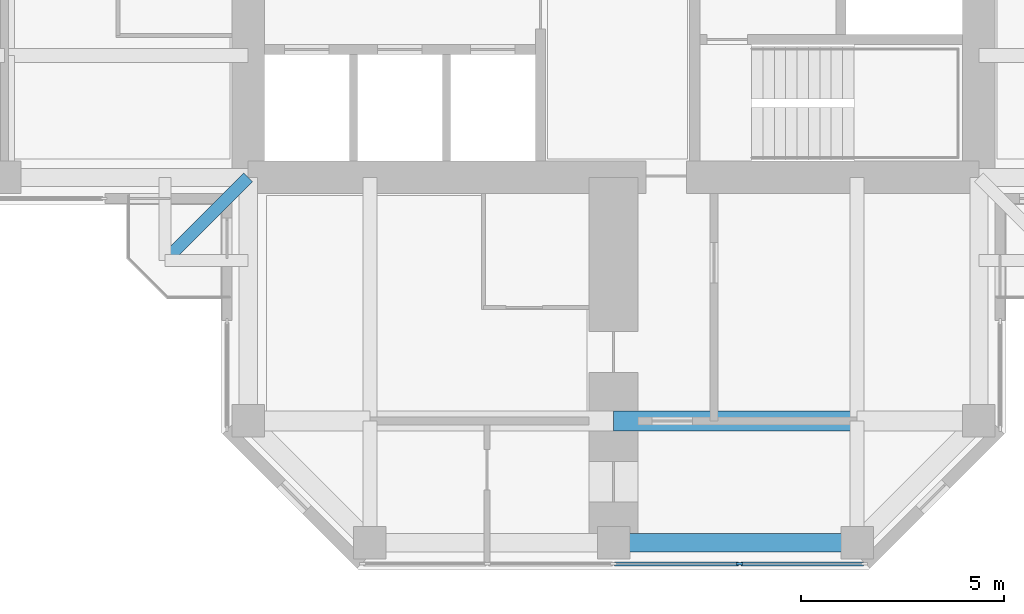
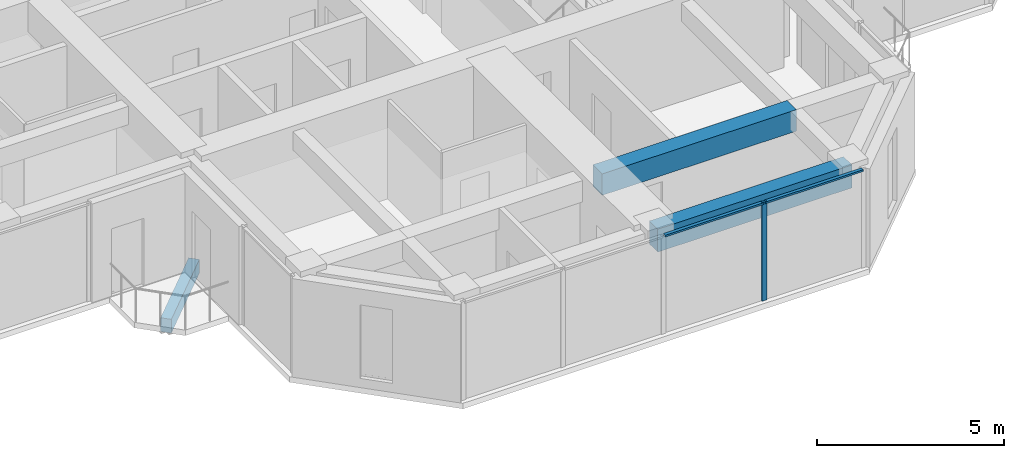
# One storey, part 3 of 13: 3 beams, 3 members, 1 element without a shape of its own.
"""IFC4 building model written with IfcOpenShell, lengths in metres."""

import ifcopenshell
import ifcopenshell.guid

model = None  # the IFC model being written
_history = None  # IfcOwnerHistory: only IFC2X3 demands one
_inside = {}  # id of a spatial element -> (the spatial element, [elements in it])
_under = {}  # id of a project, library or spatial element -> (it, [spatial elements below it])
_declared = {}  # id of a project -> (the project, [libraries it declares])
_typed = {}  # id of a type object -> (the type object, [elements of that type])
_made_of = {}  # id of a material, layer set ... -> (it, [elements and type objects made of it])


def new_model(schema):
    """Start an empty IFC model of exactly this schema.

    Asked for "IFC4X3", IfcOpenShell would pick the latest addendum, in which some entities
    have other attributes; the version numbers below select the first issue.
    IFC2X3 requires an IfcOwnerHistory on every rooted entity: one is made here for all.
    """
    global model, _history
    if schema == "IFC4X3":
        model = ifcopenshell.file(schema_version=(4, 3, 0, 0))
    else:
        model = ifcopenshell.file(schema=schema)
    _inside.clear()
    _under.clear()
    _declared.clear()
    _typed.clear()
    _made_of.clear()
    _history = None
    if model.schema == "IFC2X3":
        org = make("IfcOrganization", Name="unknown")
        user = make(
            "IfcPersonAndOrganization",
            ThePerson=make("IfcPerson", FamilyName="unknown"),
            TheOrganization=org,
        )
        app = make(
            "IfcApplication",
            ApplicationDeveloper=org,
            Version="unknown",
            ApplicationFullName="unknown",
            ApplicationIdentifier="unknown",
        )
        _history = make(
            "IfcOwnerHistory",
            OwningUser=user,
            OwningApplication=app,
            ChangeAction="ADDED",
            CreationDate=0,
        )
    return model


def make(cls, **values):
    """One entity of the class cls with the attributes given. An attribute that is None is left unset."""
    return model.create_entity(
        cls, **{name: value for name, value in values.items() if value is not None}
    )


def rooted(cls, **values):
    """An entity with a GlobalId (a new one), such as an element, a storey or a relation."""
    return make(cls, GlobalId=ifcopenshell.guid.new(), OwnerHistory=_history, **values)


def si_unit(unit_type, name, prefix=None):
    """IfcSIUnit, for example si_unit("LENGTHUNIT", "METRE", prefix="MILLI")."""
    return make("IfcSIUnit", UnitType=unit_type, Prefix=prefix, Name=name)


def assignment(units):
    """IfcUnitAssignment: the units of a project."""
    return None if units is None else make("IfcUnitAssignment", Units=units)


def point(xyz):
    """IfcCartesianPoint."""
    return None if xyz is None else make("IfcCartesianPoint", Coordinates=xyz)


def direction(xyz):
    """IfcDirection."""
    return None if xyz is None else make("IfcDirection", DirectionRatios=xyz)


def frame(location, z_axis=None, x_axis=None):
    """IfcAxis2Placement3D, a coordinate frame: its origin and axes. An axis left out is left unset."""
    return make(
        "IfcAxis2Placement3D",
        Location=point(location),
        Axis=direction(z_axis),
        RefDirection=direction(x_axis),
    )


def frame_2d(location, x_axis=None):
    """IfcAxis2Placement2D, a coordinate frame in the plane: its origin and x axis."""
    return make(
        "IfcAxis2Placement2D", Location=point(location), RefDirection=direction(x_axis)
    )


def origin():
    """The frame at (0, 0, 0) with its axes left unset."""
    return frame((0.0, 0.0, 0.0))


def origin_2d():
    """The frame at (0, 0) in the plane with its x axis left unset."""
    return frame_2d((0.0, 0.0))


def place(relative_to, where):
    """IfcLocalPlacement: puts the frame where relative to a parent placement (None: the world)."""
    return make(
        "IfcLocalPlacement", PlacementRelTo=relative_to, RelativePlacement=where
    )


def context(
    kind, dimensions, precision=None, world=None, true_north=None, identifier=None
):
    """IfcGeometricRepresentationContext, for example the 3D "Model" context."""
    return make(
        "IfcGeometricRepresentationContext",
        ContextIdentifier=identifier,
        ContextType=kind,
        CoordinateSpaceDimension=dimensions,
        Precision=precision,
        WorldCoordinateSystem=world,
        TrueNorth=true_north,
    )


def subcontext(parent, identifier, kind, view, scale=None):
    """IfcGeometricRepresentationSubContext, for example "Body" below "Model"."""
    return make(
        "IfcGeometricRepresentationSubContext",
        ContextIdentifier=identifier,
        ContextType=kind,
        ParentContext=parent,
        TargetScale=scale,
        TargetView=view,
    )


def project(units=None, contexts=None):
    """IfcProject with its units and contexts."""
    return rooted(
        "IfcProject",
        Name="project",
        RepresentationContexts=contexts,
        UnitsInContext=assignment(units),
    )


def spatial(cls, under=None, at=None, **own):
    """A site, building, storey or space (cls), placed at a placement, below another one or the project."""
    s = rooted(cls, ObjectPlacement=at, **own)
    if under is not None:
        _under.setdefault(under.id(), (under, []))[1].append(s)
    return s


def profile(cls, at=None, kind="AREA", **sizes):
    """A parametric profile (cls). Its sizes go by their IFC names, for example OverallWidth=200.0."""
    return make(cls, ProfileType=kind, Position=at, **sizes)


def rectangle(**sizes):
    """IfcRectangleProfileDef."""
    return profile("IfcRectangleProfileDef", **sizes)


def extrude(swept, where, along, depth):
    """IfcExtrudedAreaSolid: the profile swept, set in the frame where, extruded along a direction by depth."""
    return make(
        "IfcExtrudedAreaSolid",
        SweptArea=swept,
        Position=where,
        ExtrudedDirection=direction(along),
        Depth=depth,
    )


def shape(context_of_items, identifier, shape_type, items):
    """IfcShapeRepresentation: the items that make up one representation, for example the "Body"."""
    return make(
        "IfcShapeRepresentation",
        ContextOfItems=context_of_items,
        RepresentationIdentifier=identifier,
        RepresentationType=shape_type,
        Items=items,
    )


def material(Name=None, Category=None):
    """IfcMaterial."""
    return make("IfcMaterial", Name=Name, Category=Category)


def material_profile(
    of_material, cross_section, Name=None, Category=None, Priority=None
):
    """IfcMaterialProfile: a cross section and its material."""
    return make(
        "IfcMaterialProfile",
        Name=Name,
        Material=of_material,
        Profile=cross_section,
        Priority=Priority,
        Category=Category,
    )


def profile_set(profiles, Name=None, composite=None):
    """IfcMaterialProfileSet."""
    return make(
        "IfcMaterialProfileSet",
        Name=Name,
        MaterialProfiles=profiles,
        CompositeProfile=composite,
    )


def made_of(thing, what):
    """Note that an element or type object is made of a material, layer set ...; save() writes the relation."""
    if what is not None:
        _made_of.setdefault(what.id(), (what, []))[1].append(thing)
    return thing


def type_object(cls, material=None, **own):
    """A type object (cls), such as IfcWallType, which elements share."""
    return made_of(rooted(cls, **own), material)


def element(
    cls,
    number,
    at=None,
    inside=None,
    cuts=None,
    type_object=None,
    material=None,
    context=None,
    identifier="Body",
    shape_type=None,
    held_by="IfcProductDefinitionShape",
    body=None,
    shapes=None,
    **own,
):
    """One element of the class cls, such as IfcWall. Its Tag is "e" and its number.

    at: its placement. inside: the storey or other place that contains it. cuts: it is an
    opening in that element (IfcRelVoidsElement). A single representation is given by context,
    identifier, shape_type and body (its items); several are given by shapes. held_by: the class
    of the entity that holds the representations. save() writes the other relations.
    """
    e = rooted(cls, Tag="e%d" % number, ObjectPlacement=at, **own)
    if body is not None:
        shapes = [shape(context, identifier, shape_type, body)]
    if shapes is not None:
        e.Representation = make(held_by, Representations=shapes)
    if inside is not None:
        _inside.setdefault(inside.id(), (inside, []))[1].append(e)
    if cuts is not None:
        rooted(
            "IfcRelVoidsElement", RelatingBuildingElement=cuts, RelatedOpeningElement=e
        )
    if type_object is not None:
        _typed.setdefault(type_object.id(), (type_object, []))[1].append(e)
    return made_of(e, material)


def aggregate(whole, parts):
    """IfcRelAggregates: a whole, such as a stair, and the parts it consists of."""
    return rooted("IfcRelAggregates", RelatingObject=whole, RelatedObjects=parts)


def save(model, path):
    """Write the relations noted so far, then the file.

    IfcRelAggregates (storeys below a building ...), IfcRelContainedInSpatialStructure (elements
    in a storey), IfcRelDefinesByType, IfcRelAssociatesMaterial and IfcRelDeclares: one each for
    every whole, place, type object, material and project.
    """
    for whole, parts in _under.values():
        aggregate(whole, parts)
    for where, things in _inside.values():
        rooted(
            "IfcRelContainedInSpatialStructure",
            RelatedElements=things,
            RelatingStructure=where,
        )
    for kind, things in _typed.values():
        rooted("IfcRelDefinesByType", RelatedObjects=things, RelatingType=kind)
    for what, things in _made_of.values():
        rooted("IfcRelAssociatesMaterial", RelatedObjects=things, RelatingMaterial=what)
    for by, libraries in _declared.values():
        rooted("IfcRelDeclares", RelatingContext=by, RelatedDefinitions=libraries)
    model.write(path)


model = new_model("IFC4")

# Units and contexts
model_context = context("Model", 3, precision=1e-05, world=origin(), true_north=direction((0.0, 1.0)))
body_context = subcontext(model_context, "Body", "Model", "MODEL_VIEW")
ifc_project = project(units=[si_unit("LENGTHUNIT", "METRE"), si_unit("AREAUNIT", "SQUARE_METRE"), si_unit("VOLUMEUNIT", "CUBIC_METRE"), si_unit("PLANEANGLEUNIT", "RADIAN"), si_unit("MASSUNIT", "GRAM", prefix="KILO")], contexts=[model_context])

# Site, building, storey
site_placement = place(None, origin())
site = spatial("IfcSite", under=ifc_project, at=site_placement, CompositionType="ELEMENT")
building_placement = place(site_placement, origin())
building = spatial("IfcBuilding", under=site, at=building_placement, Name="Torre Cruceta", CompositionType="ELEMENT")
storey_placement = place(building_placement, frame((0.0, 0.0, 242.5)))
storey = spatial("IfcBuildingStorey", under=building, at=storey_placement, Name="L62", CompositionType="ELEMENT", Elevation=242.5)

# Beams
ifc_material_1 = material(Name="Concrete G60 (fck 60 MPa)", Category="concrete")
ifc_material_profile_1 = material_profile(ifc_material_1, rectangle(XDim=0.300048828125, YDim=0.449951171875, at=origin_2d()), Name="RC 300X450")
ifc_profile_set_1 = profile_set([ifc_material_profile_1], Name="Concrete G60 (fck 60 MPa)")
beam_type_1 = type_object("IfcBeamType", Name="BALCONY CANTILEVER BEAM RC 300X450", PredefinedType="BEAM", material=ifc_profile_set_1)
beam_1_placement = place(storey_placement, frame((-9.0, -9.0, -0.405029296875), z_axis=(-0.707106781187, -0.707106781187, 0.0), x_axis=(0.707106781187, -0.707106781187, 0.0)))
element("IfcBeam", 1, at=beam_1_placement, inside=storey, type_object=beam_type_1, Name="BB1 balcony beam L62 W", PredefinedType="BEAM", context=body_context, shape_type="SweptSolid", body=[
    extrude(rectangle(XDim=0.300048828125, YDim=0.449951171875, at=origin_2d()), origin(), (0.0, 0.0, 1.0), 2.89990234375),
])
ifc_material_2 = material(Name="Concrete G60 (fck 60 MPa)", Category="concrete")
ifc_material_profile_2 = material_profile(ifc_material_2, rectangle(XDim=0.5, YDim=0.699951171875, at=origin_2d()), Name="RC 500X700")
ifc_profile_set_2 = profile_set([ifc_material_profile_2], Name="Concrete G60 (fck 60 MPa)")
beam_type_2 = type_object("IfcBeamType", Name="CROSS BEAM RC 500X700", PredefinedType="BEAM", material=ifc_profile_set_2)
beam_2_placement = place(storey_placement, frame((0.0, -15.0, 2.8701171875), z_axis=(1.0, 0.0, 0.0), x_axis=(0.0, 1.0, 0.0)))
element("IfcBeam", 2, at=beam_2_placement, inside=storey, type_object=beam_type_2, Name="GB7 L62 S cross15 3", PredefinedType="BEAM", context=body_context, shape_type="SweptSolid", body=[
    extrude(rectangle(XDim=0.5, YDim=0.699951171875, at=origin_2d()), origin(), (0.0, 0.0, 1.0), 6.0),
])

# Curtain wall, members
ifc_material_3 = material(Name="Aluminium unitised curtain wall", Category="aluminium")
curtain_wall_type = type_object("IfcCurtainWallType", Name="CURTAIN WALL CW-D CO-LIVING UPPER", PredefinedType="USERDEFINED", material=ifc_material_3)
curtain_wall_placement = place(storey_placement, origin())
curtain_wall = element("IfcCurtainWall", 3, at=curtain_wall_placement, inside=storey, type_object=curtain_wall_type, Name="CW-D L62 S tip 17", ObjectType="UNITISED", PredefinedType="USERDEFINED")
ifc_material_4 = material(Name="Aluminium mullion", Category="aluminium")
ifc_material_profile_3 = material_profile(ifc_material_4, rectangle(XDim=0.06005859375, YDim=0.14990234375, at=origin_2d()), Name="AL 60X150")
ifc_profile_set_3 = profile_set([ifc_material_profile_3], Name="Aluminium mullion")
member_type_1 = type_object("IfcMemberType", Name="CW-D MULLION 60X150", PredefinedType="MULLION", material=ifc_profile_set_3)
member_1_placement = place(storey_placement, frame((3.107666015625, -18.52001953125, 0.0), z_axis=(0.0, 0.0, 1.0), x_axis=(0.0, 1.0, 0.0)))
member_1 = element("IfcMember", 4, at=member_1_placement, type_object=member_type_1, Name="CW-D mullion 4", PredefinedType="MULLION", context=body_context, shape_type="SweptSolid", body=[
    extrude(rectangle(XDim=0.06005859375, YDim=0.14990234375, at=origin_2d()), origin(), (0.0, 0.0, 1.0), 3.219970703125),
])
ifc_material_5 = material(Name="Aluminium transom", Category="aluminium")
ifc_material_profile_4 = material_profile(ifc_material_5, rectangle(XDim=0.10009765625, YDim=0.06005859375, at=origin_2d()), Name="AL 100X60")
ifc_profile_set_4 = profile_set([ifc_material_profile_4], Name="Aluminium transom")
member_type_2 = type_object("IfcMemberType", Name="CW-D TRANSOM 60X100", PredefinedType="USERDEFINED", material=ifc_profile_set_4)
member_2_placement = place(storey_placement, frame((0.030029296875, -18.52001953125, 3.18994140625), z_axis=(1.0, 0.0, 0.0), x_axis=(0.0, 1.0, 0.0)))
member_2 = element("IfcMember", 5, at=member_2_placement, type_object=member_type_2, Name="CW-D transom 3", ObjectType="TRANSOM", PredefinedType="USERDEFINED", context=body_context, shape_type="SweptSolid", body=[
    extrude(rectangle(XDim=0.10009765625, YDim=0.06005859375, at=origin_2d()), origin(), (0.0, 0.0, 1.0), 3.047607421875),
])
member_3_placement = place(storey_placement, frame((3.1376953125, -18.52001953125, 3.18994140625), z_axis=(1.0, 0.0, 0.0), x_axis=(0.0, 1.0, 0.0)))
member_3 = element("IfcMember", 6, at=member_3_placement, type_object=member_type_2, Name="CW-D transom 4", ObjectType="TRANSOM", PredefinedType="USERDEFINED", context=body_context, shape_type="SweptSolid", body=[
    extrude(rectangle(XDim=0.10009765625, YDim=0.06005859375, at=origin_2d()), origin(), (0.0, 0.0, 1.0), 3.017578125),
])
aggregate(curtain_wall, [member_1, member_2, member_3])

# Beam
ifc_material_6 = material(Name="Concrete G60 (fck 60 MPa)", Category="concrete")
ifc_material_profile_5 = material_profile(ifc_material_6, rectangle(XDim=0.449951171875, YDim=0.75, at=origin_2d()), Name="RC 450X750")
ifc_profile_set_5 = profile_set([ifc_material_profile_5], Name="Concrete G60 (fck 60 MPa)")
beam_type_3 = type_object("IfcBeamType", Name="SPANDREL BEAM RC 450X750", PredefinedType="SPANDREL", material=ifc_profile_set_5)
beam_3_placement = place(storey_placement, frame((0.0, -18.0, 2.844970703125), z_axis=(1.0, 0.0, 0.0), x_axis=(0.0, 1.0, 0.0)))
element("IfcBeam", 7, at=beam_3_placement, inside=storey, type_object=beam_type_3, Name="SB7 L62 S tip 2", PredefinedType="SPANDREL", context=body_context, shape_type="SweptSolid", body=[
    extrude(rectangle(XDim=0.449951171875, YDim=0.75, at=origin_2d()), origin(), (0.0, 0.0, 1.0), 6.0),
])

save(model, "model.ifc")
